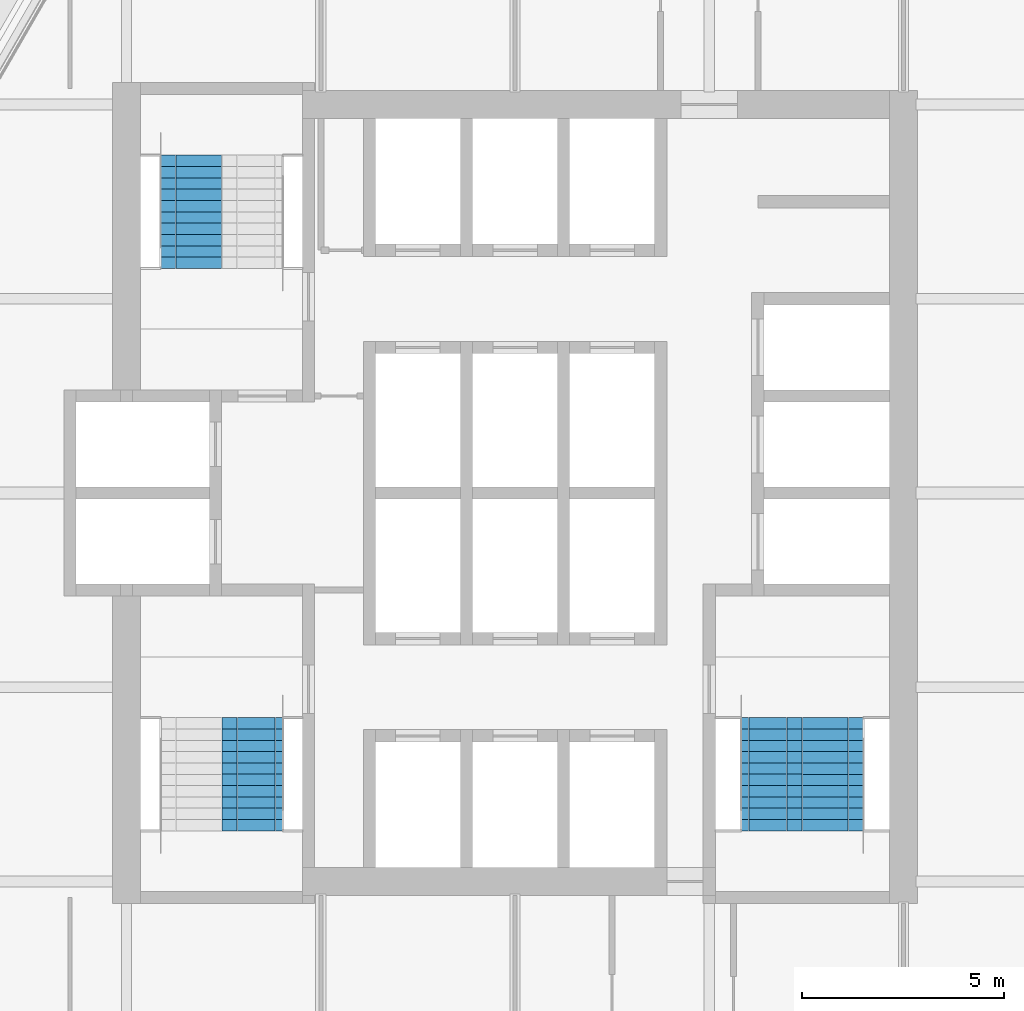
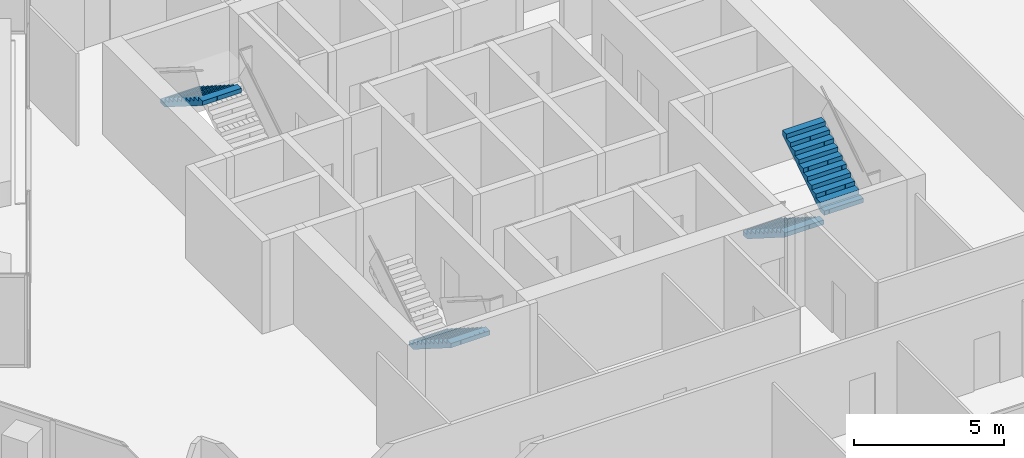
# One storey, part 15 of 18: 4 stair flights, 3 elements without a shape of their own.
"""IFC4 building model written with IfcOpenShell, lengths in metres."""

from ifc_helpers import new_model, si_unit, direction, frame, origin, place, context, subcontext, project, spatial, polyline, outline, extrude, material, type_object, element, aggregate, save


model = new_model("IFC4")

# Units and contexts
model_context = context("Model", 3, precision=1e-05, world=origin(), true_north=direction((0.0, 1.0)))
body_context = subcontext(model_context, "Body", "Model", "MODEL_VIEW")
ifc_project = project(units=[si_unit("LENGTHUNIT", "METRE"), si_unit("AREAUNIT", "SQUARE_METRE"), si_unit("VOLUMEUNIT", "CUBIC_METRE"), si_unit("PLANEANGLEUNIT", "RADIAN"), si_unit("MASSUNIT", "GRAM", prefix="KILO")], contexts=[model_context])

# Site, building, storey
site_placement = place(None, origin())
site = spatial("IfcSite", under=ifc_project, at=site_placement, CompositionType="ELEMENT")
building_placement = place(site_placement, origin())
building = spatial("IfcBuilding", under=site, at=building_placement, Name="Kolab Exchange Tower", CompositionType="ELEMENT")
storey_placement = place(building_placement, frame((0.0, 0.0, 150.5)))
storey = spatial("IfcBuildingStorey", under=building, at=storey_placement, Name="L30", CompositionType="ELEMENT", Elevation=150.5)

# Stair, stair flight
ifc_material = material(Name="Concrete C50/60", Category="concrete")
stair_type_1 = type_object("IfcStairType", Name="STAIR ST1 RISER 177.3", PredefinedType="HALF_TURN_STAIR", material=ifc_material)
stair_1_placement = place(storey_placement, origin())
stair_1 = element("IfcStair", 1, at=stair_1_placement, inside=storey, type_object=stair_type_1, Name="Stair 1", PredefinedType="HALF_TURN_STAIR")
stair_flight_type = type_object("IfcStairFlightType", Name="STAIR FLIGHT 1500 RISER 177.3", PredefinedType="STRAIGHT", material=ifc_material)
stair_flight_1_placement = place(storey_placement, frame((-8.010009765625, 8.35009765625, 1.949951171875), z_axis=(0.0, 0.0, 1.0), x_axis=(0.0, -1.0, 0.0)))
stair_flight_1 = element("IfcStairFlight", 2, at=stair_flight_1_placement, type_object=stair_flight_type, Name="ST1 flight 2", NumberOfRisers=11, NumberOfTreads=10, PredefinedType="STRAIGHT", RiserHeight=0.177272727, TreadLength=0.28, context=body_context, shape_type="SweptSolid", body=[
    extrude(outline(polyline([(0.0, 0.0), (0.0, 0.17724609375), (0.280029296875, 0.17724609375), (0.280029296875, 0.3544921875), (0.56005859375, 0.3544921875), (0.56005859375, 0.53173828125), (0.840087890625, 0.53173828125), (0.840087890625, 0.708984375), (1.1201171875, 0.708984375), (1.1201171875, 0.886474609375), (1.39990234375, 0.886474609375), (1.39990234375, 1.063720703125), (1.679931640625, 1.063720703125), (1.679931640625, 1.240966796875), (1.9599609375, 1.240966796875), (1.9599609375, 1.418212890625), (2.239990234375, 1.418212890625), (2.239990234375, 1.595458984375), (2.52001953125, 1.595458984375), (2.52001953125, 1.772705078125), (2.800048828125, 1.772705078125), (2.800048828125, 1.949951171875), (2.800048828125, 1.59521484375), (0.2802734375, 0.0), (0.0, 0.0)])), frame((0.0, 0.75, 0.0), z_axis=(0.0, -1.0, 0.0), x_axis=(1.0, 0.0, 0.0)), (0.0, 0.0, 1.0), 0.185791015625),
    extrude(outline(polyline([(0.0, 0.0), (0.0, 0.17724609375), (0.280029296875, 0.17724609375), (0.280029296875, 0.3544921875), (0.56005859375, 0.3544921875), (0.56005859375, 0.53173828125), (0.840087890625, 0.53173828125), (0.840087890625, 0.708984375), (1.1201171875, 0.708984375), (1.1201171875, 0.886474609375), (1.39990234375, 0.886474609375), (1.39990234375, 1.063720703125), (1.679931640625, 1.063720703125), (1.679931640625, 1.240966796875), (1.9599609375, 1.240966796875), (1.9599609375, 1.418212890625), (2.239990234375, 1.418212890625), (2.239990234375, 1.595458984375), (2.52001953125, 1.595458984375), (2.52001953125, 1.772705078125), (2.800048828125, 1.772705078125), (2.800048828125, 1.949951171875), (2.800048828125, 1.59521484375), (0.2802734375, 0.0), (0.0, 0.0)])), frame((0.0, 0.562255859375, 0.0), z_axis=(0.0, -1.0, 0.0), x_axis=(1.0, 0.0, 0.0)), (0.0, 0.0, 1.0), 0.185791015625),
    extrude(outline(polyline([(0.0, 0.0), (0.0, 0.17724609375), (0.280029296875, 0.17724609375), (0.280029296875, 0.3544921875), (0.56005859375, 0.3544921875), (0.56005859375, 0.53173828125), (0.840087890625, 0.53173828125), (0.840087890625, 0.708984375), (1.1201171875, 0.708984375), (1.1201171875, 0.886474609375), (1.39990234375, 0.886474609375), (1.39990234375, 1.063720703125), (1.679931640625, 1.063720703125), (1.679931640625, 1.240966796875), (1.9599609375, 1.240966796875), (1.9599609375, 1.418212890625), (2.239990234375, 1.418212890625), (2.239990234375, 1.595458984375), (2.52001953125, 1.595458984375), (2.52001953125, 1.772705078125), (2.800048828125, 1.772705078125), (2.800048828125, 1.949951171875), (2.800048828125, 1.59521484375), (0.2802734375, 0.0), (0.0, 0.0)])), frame((0.0, 0.37451171875, 0.0), z_axis=(0.0, -1.0, 0.0), x_axis=(1.0, 0.0, 0.0)), (0.0, 0.0, 1.0), 0.185791015625),
    extrude(outline(polyline([(0.0, 0.0), (0.0, 0.17724609375), (0.280029296875, 0.17724609375), (0.280029296875, 0.3544921875), (0.56005859375, 0.3544921875), (0.56005859375, 0.53173828125), (0.840087890625, 0.53173828125), (0.840087890625, 0.708984375), (1.1201171875, 0.708984375), (1.1201171875, 0.886474609375), (1.39990234375, 0.886474609375), (1.39990234375, 1.063720703125), (1.679931640625, 1.063720703125), (1.679931640625, 1.240966796875), (1.9599609375, 1.240966796875), (1.9599609375, 1.418212890625), (2.239990234375, 1.418212890625), (2.239990234375, 1.595458984375), (2.52001953125, 1.595458984375), (2.52001953125, 1.772705078125), (2.800048828125, 1.772705078125), (2.800048828125, 1.949951171875), (2.800048828125, 1.59521484375), (0.2802734375, 0.0), (0.0, 0.0)])), frame((0.0, 0.186767578125, 0.0), z_axis=(0.0, -1.0, 0.0), x_axis=(1.0, 0.0, 0.0)), (0.0, 0.0, 1.0), 0.185791015625),
    extrude(outline(polyline([(0.0, 0.0), (0.0, 0.17724609375), (0.280029296875, 0.17724609375), (0.280029296875, 0.3544921875), (0.56005859375, 0.3544921875), (0.56005859375, 0.53173828125), (0.840087890625, 0.53173828125), (0.840087890625, 0.708984375), (1.1201171875, 0.708984375), (1.1201171875, 0.886474609375), (1.39990234375, 0.886474609375), (1.39990234375, 1.063720703125), (1.679931640625, 1.063720703125), (1.679931640625, 1.240966796875), (1.9599609375, 1.240966796875), (1.9599609375, 1.418212890625), (2.239990234375, 1.418212890625), (2.239990234375, 1.595458984375), (2.52001953125, 1.595458984375), (2.52001953125, 1.772705078125), (2.800048828125, 1.772705078125), (2.800048828125, 1.949951171875), (2.800048828125, 1.59521484375), (0.2802734375, 0.0), (0.0, 0.0)])), frame((0.0, -0.0009765625, 0.0), z_axis=(0.0, -1.0, 0.0), x_axis=(1.0, 0.0, 0.0)), (0.0, 0.0, 1.0), 0.185791015625),
    extrude(outline(polyline([(0.0, 0.0), (0.0, 0.17724609375), (0.280029296875, 0.17724609375), (0.280029296875, 0.3544921875), (0.56005859375, 0.3544921875), (0.56005859375, 0.53173828125), (0.840087890625, 0.53173828125), (0.840087890625, 0.708984375), (1.1201171875, 0.708984375), (1.1201171875, 0.886474609375), (1.39990234375, 0.886474609375), (1.39990234375, 1.063720703125), (1.679931640625, 1.063720703125), (1.679931640625, 1.240966796875), (1.9599609375, 1.240966796875), (1.9599609375, 1.418212890625), (2.239990234375, 1.418212890625), (2.239990234375, 1.595458984375), (2.52001953125, 1.595458984375), (2.52001953125, 1.772705078125), (2.800048828125, 1.772705078125), (2.800048828125, 1.949951171875), (2.800048828125, 1.59521484375), (0.2802734375, 0.0), (0.0, 0.0)])), frame((0.0, -0.188720703125, 0.0), z_axis=(0.0, -1.0, 0.0), x_axis=(1.0, 0.0, 0.0)), (0.0, 0.0, 1.0), 0.185791015625),
    extrude(outline(polyline([(0.0, 0.0), (0.0, 0.17724609375), (0.280029296875, 0.17724609375), (0.280029296875, 0.3544921875), (0.56005859375, 0.3544921875), (0.56005859375, 0.53173828125), (0.840087890625, 0.53173828125), (0.840087890625, 0.708984375), (1.1201171875, 0.708984375), (1.1201171875, 0.886474609375), (1.39990234375, 0.886474609375), (1.39990234375, 1.063720703125), (1.679931640625, 1.063720703125), (1.679931640625, 1.240966796875), (1.9599609375, 1.240966796875), (1.9599609375, 1.418212890625), (2.239990234375, 1.418212890625), (2.239990234375, 1.595458984375), (2.52001953125, 1.595458984375), (2.52001953125, 1.772705078125), (2.800048828125, 1.772705078125), (2.800048828125, 1.949951171875), (2.800048828125, 1.59521484375), (0.2802734375, 0.0), (0.0, 0.0)])), frame((0.0, -0.37646484375, 0.0), z_axis=(0.0, -1.0, 0.0), x_axis=(1.0, 0.0, 0.0)), (0.0, 0.0, 1.0), 0.185791015625),
    extrude(outline(polyline([(0.0, 0.0), (0.0, 0.17724609375), (0.280029296875, 0.17724609375), (0.280029296875, 0.3544921875), (0.56005859375, 0.3544921875), (0.56005859375, 0.53173828125), (0.840087890625, 0.53173828125), (0.840087890625, 0.708984375), (1.1201171875, 0.708984375), (1.1201171875, 0.886474609375), (1.39990234375, 0.886474609375), (1.39990234375, 1.063720703125), (1.679931640625, 1.063720703125), (1.679931640625, 1.240966796875), (1.9599609375, 1.240966796875), (1.9599609375, 1.418212890625), (2.239990234375, 1.418212890625), (2.239990234375, 1.595458984375), (2.52001953125, 1.595458984375), (2.52001953125, 1.772705078125), (2.800048828125, 1.772705078125), (2.800048828125, 1.949951171875), (2.800048828125, 1.59521484375), (0.2802734375, 0.0), (0.0, 0.0)])), frame((0.0, -0.564208984375, 0.0), z_axis=(0.0, -1.0, 0.0), x_axis=(1.0, 0.0, 0.0)), (0.0, 0.0, 1.0), 0.185791015625),
])
aggregate(stair_1, [stair_flight_1])

stair_type_2 = type_object("IfcStairType", Name="STAIR ST3 RISER 177.3", PredefinedType="HALF_TURN_STAIR", material=ifc_material)
stair_2_placement = place(storey_placement, origin())
stair_2 = element("IfcStair", 3, at=stair_2_placement, inside=storey, type_object=stair_type_2, Name="Stair 3", PredefinedType="HALF_TURN_STAIR")
stair_flight_2_placement = place(storey_placement, frame((-6.489990234375, -5.550048828125, 0.0), z_axis=(0.0, 0.0, 1.0), x_axis=(0.0, -1.0, 0.0)))
stair_flight_2 = element("IfcStairFlight", 4, at=stair_flight_2_placement, type_object=stair_flight_type, Name="ST3 flight 1", NumberOfRisers=11, NumberOfTreads=10, PredefinedType="STRAIGHT", RiserHeight=0.177272727, TreadLength=0.28, context=body_context, shape_type="SweptSolid", body=[
    extrude(outline(polyline([(0.0, 0.0), (0.0, 0.17724609375), (0.280029296875, 0.17724609375), (0.280029296875, 0.3544921875), (0.56005859375, 0.3544921875), (0.56005859375, 0.53173828125), (0.840087890625, 0.53173828125), (0.840087890625, 0.708984375), (1.1201171875, 0.708984375), (1.1201171875, 0.886474609375), (1.39990234375, 0.886474609375), (1.39990234375, 1.063720703125), (1.679931640625, 1.063720703125), (1.679931640625, 1.240966796875), (1.9599609375, 1.240966796875), (1.9599609375, 1.418212890625), (2.239990234375, 1.418212890625), (2.239990234375, 1.595458984375), (2.52001953125, 1.595458984375), (2.52001953125, 1.772705078125), (2.800048828125, 1.772705078125), (2.800048828125, 1.949951171875), (2.800048828125, 1.59521484375), (0.2802734375, 0.0), (0.0, 0.0)])), frame((0.0, 0.75, 0.0), z_axis=(0.0, -1.0, 0.0), x_axis=(1.0, 0.0, 0.0)), (0.0, 0.0, 1.0), 0.185791015625),
    extrude(outline(polyline([(0.0, 0.0), (0.0, 0.17724609375), (0.280029296875, 0.17724609375), (0.280029296875, 0.3544921875), (0.56005859375, 0.3544921875), (0.56005859375, 0.53173828125), (0.840087890625, 0.53173828125), (0.840087890625, 0.708984375), (1.1201171875, 0.708984375), (1.1201171875, 0.886474609375), (1.39990234375, 0.886474609375), (1.39990234375, 1.063720703125), (1.679931640625, 1.063720703125), (1.679931640625, 1.240966796875), (1.9599609375, 1.240966796875), (1.9599609375, 1.418212890625), (2.239990234375, 1.418212890625), (2.239990234375, 1.595458984375), (2.52001953125, 1.595458984375), (2.52001953125, 1.772705078125), (2.800048828125, 1.772705078125), (2.800048828125, 1.949951171875), (2.800048828125, 1.59521484375), (0.2802734375, 0.0), (0.0, 0.0)])), frame((0.0, 0.562255859375, 0.0), z_axis=(0.0, -1.0, 0.0), x_axis=(1.0, 0.0, 0.0)), (0.0, 0.0, 1.0), 0.185791015625),
    extrude(outline(polyline([(0.0, 0.0), (0.0, 0.17724609375), (0.280029296875, 0.17724609375), (0.280029296875, 0.3544921875), (0.56005859375, 0.3544921875), (0.56005859375, 0.53173828125), (0.840087890625, 0.53173828125), (0.840087890625, 0.708984375), (1.1201171875, 0.708984375), (1.1201171875, 0.886474609375), (1.39990234375, 0.886474609375), (1.39990234375, 1.063720703125), (1.679931640625, 1.063720703125), (1.679931640625, 1.240966796875), (1.9599609375, 1.240966796875), (1.9599609375, 1.418212890625), (2.239990234375, 1.418212890625), (2.239990234375, 1.595458984375), (2.52001953125, 1.595458984375), (2.52001953125, 1.772705078125), (2.800048828125, 1.772705078125), (2.800048828125, 1.949951171875), (2.800048828125, 1.59521484375), (0.2802734375, 0.0), (0.0, 0.0)])), frame((0.0, 0.37451171875, 0.0), z_axis=(0.0, -1.0, 0.0), x_axis=(1.0, 0.0, 0.0)), (0.0, 0.0, 1.0), 0.185791015625),
    extrude(outline(polyline([(0.0, 0.0), (0.0, 0.17724609375), (0.280029296875, 0.17724609375), (0.280029296875, 0.3544921875), (0.56005859375, 0.3544921875), (0.56005859375, 0.53173828125), (0.840087890625, 0.53173828125), (0.840087890625, 0.708984375), (1.1201171875, 0.708984375), (1.1201171875, 0.886474609375), (1.39990234375, 0.886474609375), (1.39990234375, 1.063720703125), (1.679931640625, 1.063720703125), (1.679931640625, 1.240966796875), (1.9599609375, 1.240966796875), (1.9599609375, 1.418212890625), (2.239990234375, 1.418212890625), (2.239990234375, 1.595458984375), (2.52001953125, 1.595458984375), (2.52001953125, 1.772705078125), (2.800048828125, 1.772705078125), (2.800048828125, 1.949951171875), (2.800048828125, 1.59521484375), (0.2802734375, 0.0), (0.0, 0.0)])), frame((0.0, 0.186767578125, 0.0), z_axis=(0.0, -1.0, 0.0), x_axis=(1.0, 0.0, 0.0)), (0.0, 0.0, 1.0), 0.185791015625),
    extrude(outline(polyline([(0.0, 0.0), (0.0, 0.17724609375), (0.280029296875, 0.17724609375), (0.280029296875, 0.3544921875), (0.56005859375, 0.3544921875), (0.56005859375, 0.53173828125), (0.840087890625, 0.53173828125), (0.840087890625, 0.708984375), (1.1201171875, 0.708984375), (1.1201171875, 0.886474609375), (1.39990234375, 0.886474609375), (1.39990234375, 1.063720703125), (1.679931640625, 1.063720703125), (1.679931640625, 1.240966796875), (1.9599609375, 1.240966796875), (1.9599609375, 1.418212890625), (2.239990234375, 1.418212890625), (2.239990234375, 1.595458984375), (2.52001953125, 1.595458984375), (2.52001953125, 1.772705078125), (2.800048828125, 1.772705078125), (2.800048828125, 1.949951171875), (2.800048828125, 1.59521484375), (0.2802734375, 0.0), (0.0, 0.0)])), frame((0.0, -0.0009765625, 0.0), z_axis=(0.0, -1.0, 0.0), x_axis=(1.0, 0.0, 0.0)), (0.0, 0.0, 1.0), 0.185791015625),
    extrude(outline(polyline([(0.0, 0.0), (0.0, 0.17724609375), (0.280029296875, 0.17724609375), (0.280029296875, 0.3544921875), (0.56005859375, 0.3544921875), (0.56005859375, 0.53173828125), (0.840087890625, 0.53173828125), (0.840087890625, 0.708984375), (1.1201171875, 0.708984375), (1.1201171875, 0.886474609375), (1.39990234375, 0.886474609375), (1.39990234375, 1.063720703125), (1.679931640625, 1.063720703125), (1.679931640625, 1.240966796875), (1.9599609375, 1.240966796875), (1.9599609375, 1.418212890625), (2.239990234375, 1.418212890625), (2.239990234375, 1.595458984375), (2.52001953125, 1.595458984375), (2.52001953125, 1.772705078125), (2.800048828125, 1.772705078125), (2.800048828125, 1.949951171875), (2.800048828125, 1.59521484375), (0.2802734375, 0.0), (0.0, 0.0)])), frame((0.0, -0.188720703125, 0.0), z_axis=(0.0, -1.0, 0.0), x_axis=(1.0, 0.0, 0.0)), (0.0, 0.0, 1.0), 0.185791015625),
    extrude(outline(polyline([(0.0, 0.0), (0.0, 0.17724609375), (0.280029296875, 0.17724609375), (0.280029296875, 0.3544921875), (0.56005859375, 0.3544921875), (0.56005859375, 0.53173828125), (0.840087890625, 0.53173828125), (0.840087890625, 0.708984375), (1.1201171875, 0.708984375), (1.1201171875, 0.886474609375), (1.39990234375, 0.886474609375), (1.39990234375, 1.063720703125), (1.679931640625, 1.063720703125), (1.679931640625, 1.240966796875), (1.9599609375, 1.240966796875), (1.9599609375, 1.418212890625), (2.239990234375, 1.418212890625), (2.239990234375, 1.595458984375), (2.52001953125, 1.595458984375), (2.52001953125, 1.772705078125), (2.800048828125, 1.772705078125), (2.800048828125, 1.949951171875), (2.800048828125, 1.59521484375), (0.2802734375, 0.0), (0.0, 0.0)])), frame((0.0, -0.37646484375, 0.0), z_axis=(0.0, -1.0, 0.0), x_axis=(1.0, 0.0, 0.0)), (0.0, 0.0, 1.0), 0.185791015625),
    extrude(outline(polyline([(0.0, 0.0), (0.0, 0.17724609375), (0.280029296875, 0.17724609375), (0.280029296875, 0.3544921875), (0.56005859375, 0.3544921875), (0.56005859375, 0.53173828125), (0.840087890625, 0.53173828125), (0.840087890625, 0.708984375), (1.1201171875, 0.708984375), (1.1201171875, 0.886474609375), (1.39990234375, 0.886474609375), (1.39990234375, 1.063720703125), (1.679931640625, 1.063720703125), (1.679931640625, 1.240966796875), (1.9599609375, 1.240966796875), (1.9599609375, 1.418212890625), (2.239990234375, 1.418212890625), (2.239990234375, 1.595458984375), (2.52001953125, 1.595458984375), (2.52001953125, 1.772705078125), (2.800048828125, 1.772705078125), (2.800048828125, 1.949951171875), (2.800048828125, 1.59521484375), (0.2802734375, 0.0), (0.0, 0.0)])), frame((0.0, -0.564208984375, 0.0), z_axis=(0.0, -1.0, 0.0), x_axis=(1.0, 0.0, 0.0)), (0.0, 0.0, 1.0), 0.185791015625),
])
aggregate(stair_2, [stair_flight_2])

# Stair, stair flights
stair_type_3 = type_object("IfcStairType", Name="STAIR ST2 RISER 177.3", PredefinedType="HALF_TURN_STAIR", material=ifc_material)
stair_3_placement = place(storey_placement, origin())
stair_3 = element("IfcStair", 5, at=stair_3_placement, inside=storey, type_object=stair_type_3, Name="Stair 2", PredefinedType="HALF_TURN_STAIR")
stair_flight_3_placement = place(storey_placement, frame((6.340087890625, -5.550048828125, 0.0), z_axis=(0.0, 0.0, 1.0), x_axis=(0.0, -1.0, 0.0)))
stair_flight_3 = element("IfcStairFlight", 6, at=stair_flight_3_placement, type_object=stair_flight_type, Name="ST2 flight 1", NumberOfRisers=11, NumberOfTreads=10, PredefinedType="STRAIGHT", RiserHeight=0.177272727, TreadLength=0.28, context=body_context, shape_type="SweptSolid", body=[
    extrude(outline(polyline([(0.0, 0.0), (0.0, 0.17724609375), (0.280029296875, 0.17724609375), (0.280029296875, 0.3544921875), (0.56005859375, 0.3544921875), (0.56005859375, 0.53173828125), (0.840087890625, 0.53173828125), (0.840087890625, 0.708984375), (1.1201171875, 0.708984375), (1.1201171875, 0.886474609375), (1.39990234375, 0.886474609375), (1.39990234375, 1.063720703125), (1.679931640625, 1.063720703125), (1.679931640625, 1.240966796875), (1.9599609375, 1.240966796875), (1.9599609375, 1.418212890625), (2.239990234375, 1.418212890625), (2.239990234375, 1.595458984375), (2.52001953125, 1.595458984375), (2.52001953125, 1.772705078125), (2.800048828125, 1.772705078125), (2.800048828125, 1.949951171875), (2.800048828125, 1.59521484375), (0.2802734375, 0.0), (0.0, 0.0)])), frame((0.0, 0.75, 0.0), z_axis=(0.0, -1.0, 0.0), x_axis=(1.0, 0.0, 0.0)), (0.0, 0.0, 1.0), 0.185791015625),
    extrude(outline(polyline([(0.0, 0.0), (0.0, 0.17724609375), (0.280029296875, 0.17724609375), (0.280029296875, 0.3544921875), (0.56005859375, 0.3544921875), (0.56005859375, 0.53173828125), (0.840087890625, 0.53173828125), (0.840087890625, 0.708984375), (1.1201171875, 0.708984375), (1.1201171875, 0.886474609375), (1.39990234375, 0.886474609375), (1.39990234375, 1.063720703125), (1.679931640625, 1.063720703125), (1.679931640625, 1.240966796875), (1.9599609375, 1.240966796875), (1.9599609375, 1.418212890625), (2.239990234375, 1.418212890625), (2.239990234375, 1.595458984375), (2.52001953125, 1.595458984375), (2.52001953125, 1.772705078125), (2.800048828125, 1.772705078125), (2.800048828125, 1.949951171875), (2.800048828125, 1.59521484375), (0.2802734375, 0.0), (0.0, 0.0)])), frame((0.0, 0.562255859375, 0.0), z_axis=(0.0, -1.0, 0.0), x_axis=(1.0, 0.0, 0.0)), (0.0, 0.0, 1.0), 0.185791015625),
    extrude(outline(polyline([(0.0, 0.0), (0.0, 0.17724609375), (0.280029296875, 0.17724609375), (0.280029296875, 0.3544921875), (0.56005859375, 0.3544921875), (0.56005859375, 0.53173828125), (0.840087890625, 0.53173828125), (0.840087890625, 0.708984375), (1.1201171875, 0.708984375), (1.1201171875, 0.886474609375), (1.39990234375, 0.886474609375), (1.39990234375, 1.063720703125), (1.679931640625, 1.063720703125), (1.679931640625, 1.240966796875), (1.9599609375, 1.240966796875), (1.9599609375, 1.418212890625), (2.239990234375, 1.418212890625), (2.239990234375, 1.595458984375), (2.52001953125, 1.595458984375), (2.52001953125, 1.772705078125), (2.800048828125, 1.772705078125), (2.800048828125, 1.949951171875), (2.800048828125, 1.59521484375), (0.2802734375, 0.0), (0.0, 0.0)])), frame((0.0, 0.37451171875, 0.0), z_axis=(0.0, -1.0, 0.0), x_axis=(1.0, 0.0, 0.0)), (0.0, 0.0, 1.0), 0.185791015625),
    extrude(outline(polyline([(0.0, 0.0), (0.0, 0.17724609375), (0.280029296875, 0.17724609375), (0.280029296875, 0.3544921875), (0.56005859375, 0.3544921875), (0.56005859375, 0.53173828125), (0.840087890625, 0.53173828125), (0.840087890625, 0.708984375), (1.1201171875, 0.708984375), (1.1201171875, 0.886474609375), (1.39990234375, 0.886474609375), (1.39990234375, 1.063720703125), (1.679931640625, 1.063720703125), (1.679931640625, 1.240966796875), (1.9599609375, 1.240966796875), (1.9599609375, 1.418212890625), (2.239990234375, 1.418212890625), (2.239990234375, 1.595458984375), (2.52001953125, 1.595458984375), (2.52001953125, 1.772705078125), (2.800048828125, 1.772705078125), (2.800048828125, 1.949951171875), (2.800048828125, 1.59521484375), (0.2802734375, 0.0), (0.0, 0.0)])), frame((0.0, 0.186767578125, 0.0), z_axis=(0.0, -1.0, 0.0), x_axis=(1.0, 0.0, 0.0)), (0.0, 0.0, 1.0), 0.185791015625),
    extrude(outline(polyline([(0.0, 0.0), (0.0, 0.17724609375), (0.280029296875, 0.17724609375), (0.280029296875, 0.3544921875), (0.56005859375, 0.3544921875), (0.56005859375, 0.53173828125), (0.840087890625, 0.53173828125), (0.840087890625, 0.708984375), (1.1201171875, 0.708984375), (1.1201171875, 0.886474609375), (1.39990234375, 0.886474609375), (1.39990234375, 1.063720703125), (1.679931640625, 1.063720703125), (1.679931640625, 1.240966796875), (1.9599609375, 1.240966796875), (1.9599609375, 1.418212890625), (2.239990234375, 1.418212890625), (2.239990234375, 1.595458984375), (2.52001953125, 1.595458984375), (2.52001953125, 1.772705078125), (2.800048828125, 1.772705078125), (2.800048828125, 1.949951171875), (2.800048828125, 1.59521484375), (0.2802734375, 0.0), (0.0, 0.0)])), frame((0.0, -0.0009765625, 0.0), z_axis=(0.0, -1.0, 0.0), x_axis=(1.0, 0.0, 0.0)), (0.0, 0.0, 1.0), 0.185791015625),
    extrude(outline(polyline([(0.0, 0.0), (0.0, 0.17724609375), (0.280029296875, 0.17724609375), (0.280029296875, 0.3544921875), (0.56005859375, 0.3544921875), (0.56005859375, 0.53173828125), (0.840087890625, 0.53173828125), (0.840087890625, 0.708984375), (1.1201171875, 0.708984375), (1.1201171875, 0.886474609375), (1.39990234375, 0.886474609375), (1.39990234375, 1.063720703125), (1.679931640625, 1.063720703125), (1.679931640625, 1.240966796875), (1.9599609375, 1.240966796875), (1.9599609375, 1.418212890625), (2.239990234375, 1.418212890625), (2.239990234375, 1.595458984375), (2.52001953125, 1.595458984375), (2.52001953125, 1.772705078125), (2.800048828125, 1.772705078125), (2.800048828125, 1.949951171875), (2.800048828125, 1.59521484375), (0.2802734375, 0.0), (0.0, 0.0)])), frame((0.0, -0.188720703125, 0.0), z_axis=(0.0, -1.0, 0.0), x_axis=(1.0, 0.0, 0.0)), (0.0, 0.0, 1.0), 0.185791015625),
    extrude(outline(polyline([(0.0, 0.0), (0.0, 0.17724609375), (0.280029296875, 0.17724609375), (0.280029296875, 0.3544921875), (0.56005859375, 0.3544921875), (0.56005859375, 0.53173828125), (0.840087890625, 0.53173828125), (0.840087890625, 0.708984375), (1.1201171875, 0.708984375), (1.1201171875, 0.886474609375), (1.39990234375, 0.886474609375), (1.39990234375, 1.063720703125), (1.679931640625, 1.063720703125), (1.679931640625, 1.240966796875), (1.9599609375, 1.240966796875), (1.9599609375, 1.418212890625), (2.239990234375, 1.418212890625), (2.239990234375, 1.595458984375), (2.52001953125, 1.595458984375), (2.52001953125, 1.772705078125), (2.800048828125, 1.772705078125), (2.800048828125, 1.949951171875), (2.800048828125, 1.59521484375), (0.2802734375, 0.0), (0.0, 0.0)])), frame((0.0, -0.37646484375, 0.0), z_axis=(0.0, -1.0, 0.0), x_axis=(1.0, 0.0, 0.0)), (0.0, 0.0, 1.0), 0.185791015625),
    extrude(outline(polyline([(0.0, 0.0), (0.0, 0.17724609375), (0.280029296875, 0.17724609375), (0.280029296875, 0.3544921875), (0.56005859375, 0.3544921875), (0.56005859375, 0.53173828125), (0.840087890625, 0.53173828125), (0.840087890625, 0.708984375), (1.1201171875, 0.708984375), (1.1201171875, 0.886474609375), (1.39990234375, 0.886474609375), (1.39990234375, 1.063720703125), (1.679931640625, 1.063720703125), (1.679931640625, 1.240966796875), (1.9599609375, 1.240966796875), (1.9599609375, 1.418212890625), (2.239990234375, 1.418212890625), (2.239990234375, 1.595458984375), (2.52001953125, 1.595458984375), (2.52001953125, 1.772705078125), (2.800048828125, 1.772705078125), (2.800048828125, 1.949951171875), (2.800048828125, 1.59521484375), (0.2802734375, 0.0), (0.0, 0.0)])), frame((0.0, -0.564208984375, 0.0), z_axis=(0.0, -1.0, 0.0), x_axis=(1.0, 0.0, 0.0)), (0.0, 0.0, 1.0), 0.185791015625),
])
stair_flight_4_placement = place(storey_placement, frame((7.860107421875, -8.35009765625, 1.949951171875), z_axis=(0.0, 0.0, 1.0), x_axis=(0.0, 1.0, 0.0)))
stair_flight_4 = element("IfcStairFlight", 7, at=stair_flight_4_placement, type_object=stair_flight_type, Name="ST2 flight 2", NumberOfRisers=11, NumberOfTreads=10, PredefinedType="STRAIGHT", RiserHeight=0.177272727, TreadLength=0.28, context=body_context, shape_type="SweptSolid", body=[
    extrude(outline(polyline([(0.0, 0.0), (0.0, 0.17724609375), (0.280029296875, 0.17724609375), (0.280029296875, 0.3544921875), (0.56005859375, 0.3544921875), (0.56005859375, 0.53173828125), (0.840087890625, 0.53173828125), (0.840087890625, 0.708984375), (1.1201171875, 0.708984375), (1.1201171875, 0.886474609375), (1.39990234375, 0.886474609375), (1.39990234375, 1.063720703125), (1.679931640625, 1.063720703125), (1.679931640625, 1.240966796875), (1.9599609375, 1.240966796875), (1.9599609375, 1.418212890625), (2.239990234375, 1.418212890625), (2.239990234375, 1.595458984375), (2.52001953125, 1.595458984375), (2.52001953125, 1.772705078125), (2.800048828125, 1.772705078125), (2.800048828125, 1.949951171875), (2.800048828125, 1.59521484375), (0.2802734375, 0.0), (0.0, 0.0)])), frame((0.0, 0.75, 0.0), z_axis=(0.0, -1.0, 0.0), x_axis=(1.0, 0.0, 0.0)), (0.0, 0.0, 1.0), 0.185791015625),
    extrude(outline(polyline([(0.0, 0.0), (0.0, 0.17724609375), (0.280029296875, 0.17724609375), (0.280029296875, 0.3544921875), (0.56005859375, 0.3544921875), (0.56005859375, 0.53173828125), (0.840087890625, 0.53173828125), (0.840087890625, 0.708984375), (1.1201171875, 0.708984375), (1.1201171875, 0.886474609375), (1.39990234375, 0.886474609375), (1.39990234375, 1.063720703125), (1.679931640625, 1.063720703125), (1.679931640625, 1.240966796875), (1.9599609375, 1.240966796875), (1.9599609375, 1.418212890625), (2.239990234375, 1.418212890625), (2.239990234375, 1.595458984375), (2.52001953125, 1.595458984375), (2.52001953125, 1.772705078125), (2.800048828125, 1.772705078125), (2.800048828125, 1.949951171875), (2.800048828125, 1.59521484375), (0.2802734375, 0.0), (0.0, 0.0)])), frame((0.0, 0.562255859375, 0.0), z_axis=(0.0, -1.0, 0.0), x_axis=(1.0, 0.0, 0.0)), (0.0, 0.0, 1.0), 0.185791015625),
    extrude(outline(polyline([(0.0, 0.0), (0.0, 0.17724609375), (0.280029296875, 0.17724609375), (0.280029296875, 0.3544921875), (0.56005859375, 0.3544921875), (0.56005859375, 0.53173828125), (0.840087890625, 0.53173828125), (0.840087890625, 0.708984375), (1.1201171875, 0.708984375), (1.1201171875, 0.886474609375), (1.39990234375, 0.886474609375), (1.39990234375, 1.063720703125), (1.679931640625, 1.063720703125), (1.679931640625, 1.240966796875), (1.9599609375, 1.240966796875), (1.9599609375, 1.418212890625), (2.239990234375, 1.418212890625), (2.239990234375, 1.595458984375), (2.52001953125, 1.595458984375), (2.52001953125, 1.772705078125), (2.800048828125, 1.772705078125), (2.800048828125, 1.949951171875), (2.800048828125, 1.59521484375), (0.2802734375, 0.0), (0.0, 0.0)])), frame((0.0, 0.37451171875, 0.0), z_axis=(0.0, -1.0, 0.0), x_axis=(1.0, 0.0, 0.0)), (0.0, 0.0, 1.0), 0.185791015625),
    extrude(outline(polyline([(0.0, 0.0), (0.0, 0.17724609375), (0.280029296875, 0.17724609375), (0.280029296875, 0.3544921875), (0.56005859375, 0.3544921875), (0.56005859375, 0.53173828125), (0.840087890625, 0.53173828125), (0.840087890625, 0.708984375), (1.1201171875, 0.708984375), (1.1201171875, 0.886474609375), (1.39990234375, 0.886474609375), (1.39990234375, 1.063720703125), (1.679931640625, 1.063720703125), (1.679931640625, 1.240966796875), (1.9599609375, 1.240966796875), (1.9599609375, 1.418212890625), (2.239990234375, 1.418212890625), (2.239990234375, 1.595458984375), (2.52001953125, 1.595458984375), (2.52001953125, 1.772705078125), (2.800048828125, 1.772705078125), (2.800048828125, 1.949951171875), (2.800048828125, 1.59521484375), (0.2802734375, 0.0), (0.0, 0.0)])), frame((0.0, 0.186767578125, 0.0), z_axis=(0.0, -1.0, 0.0), x_axis=(1.0, 0.0, 0.0)), (0.0, 0.0, 1.0), 0.185791015625),
    extrude(outline(polyline([(0.0, 0.0), (0.0, 0.17724609375), (0.280029296875, 0.17724609375), (0.280029296875, 0.3544921875), (0.56005859375, 0.3544921875), (0.56005859375, 0.53173828125), (0.840087890625, 0.53173828125), (0.840087890625, 0.708984375), (1.1201171875, 0.708984375), (1.1201171875, 0.886474609375), (1.39990234375, 0.886474609375), (1.39990234375, 1.063720703125), (1.679931640625, 1.063720703125), (1.679931640625, 1.240966796875), (1.9599609375, 1.240966796875), (1.9599609375, 1.418212890625), (2.239990234375, 1.418212890625), (2.239990234375, 1.595458984375), (2.52001953125, 1.595458984375), (2.52001953125, 1.772705078125), (2.800048828125, 1.772705078125), (2.800048828125, 1.949951171875), (2.800048828125, 1.59521484375), (0.2802734375, 0.0), (0.0, 0.0)])), frame((0.0, -0.0009765625, 0.0), z_axis=(0.0, -1.0, 0.0), x_axis=(1.0, 0.0, 0.0)), (0.0, 0.0, 1.0), 0.185791015625),
    extrude(outline(polyline([(0.0, 0.0), (0.0, 0.17724609375), (0.280029296875, 0.17724609375), (0.280029296875, 0.3544921875), (0.56005859375, 0.3544921875), (0.56005859375, 0.53173828125), (0.840087890625, 0.53173828125), (0.840087890625, 0.708984375), (1.1201171875, 0.708984375), (1.1201171875, 0.886474609375), (1.39990234375, 0.886474609375), (1.39990234375, 1.063720703125), (1.679931640625, 1.063720703125), (1.679931640625, 1.240966796875), (1.9599609375, 1.240966796875), (1.9599609375, 1.418212890625), (2.239990234375, 1.418212890625), (2.239990234375, 1.595458984375), (2.52001953125, 1.595458984375), (2.52001953125, 1.772705078125), (2.800048828125, 1.772705078125), (2.800048828125, 1.949951171875), (2.800048828125, 1.59521484375), (0.2802734375, 0.0), (0.0, 0.0)])), frame((0.0, -0.188720703125, 0.0), z_axis=(0.0, -1.0, 0.0), x_axis=(1.0, 0.0, 0.0)), (0.0, 0.0, 1.0), 0.185791015625),
    extrude(outline(polyline([(0.0, 0.0), (0.0, 0.17724609375), (0.280029296875, 0.17724609375), (0.280029296875, 0.3544921875), (0.56005859375, 0.3544921875), (0.56005859375, 0.53173828125), (0.840087890625, 0.53173828125), (0.840087890625, 0.708984375), (1.1201171875, 0.708984375), (1.1201171875, 0.886474609375), (1.39990234375, 0.886474609375), (1.39990234375, 1.063720703125), (1.679931640625, 1.063720703125), (1.679931640625, 1.240966796875), (1.9599609375, 1.240966796875), (1.9599609375, 1.418212890625), (2.239990234375, 1.418212890625), (2.239990234375, 1.595458984375), (2.52001953125, 1.595458984375), (2.52001953125, 1.772705078125), (2.800048828125, 1.772705078125), (2.800048828125, 1.949951171875), (2.800048828125, 1.59521484375), (0.2802734375, 0.0), (0.0, 0.0)])), frame((0.0, -0.37646484375, 0.0), z_axis=(0.0, -1.0, 0.0), x_axis=(1.0, 0.0, 0.0)), (0.0, 0.0, 1.0), 0.185791015625),
    extrude(outline(polyline([(0.0, 0.0), (0.0, 0.17724609375), (0.280029296875, 0.17724609375), (0.280029296875, 0.3544921875), (0.56005859375, 0.3544921875), (0.56005859375, 0.53173828125), (0.840087890625, 0.53173828125), (0.840087890625, 0.708984375), (1.1201171875, 0.708984375), (1.1201171875, 0.886474609375), (1.39990234375, 0.886474609375), (1.39990234375, 1.063720703125), (1.679931640625, 1.063720703125), (1.679931640625, 1.240966796875), (1.9599609375, 1.240966796875), (1.9599609375, 1.418212890625), (2.239990234375, 1.418212890625), (2.239990234375, 1.595458984375), (2.52001953125, 1.595458984375), (2.52001953125, 1.772705078125), (2.800048828125, 1.772705078125), (2.800048828125, 1.949951171875), (2.800048828125, 1.59521484375), (0.2802734375, 0.0), (0.0, 0.0)])), frame((0.0, -0.564208984375, 0.0), z_axis=(0.0, -1.0, 0.0), x_axis=(1.0, 0.0, 0.0)), (0.0, 0.0, 1.0), 0.185791015625),
])
aggregate(stair_3, [stair_flight_3, stair_flight_4])

save(model, "model.ifc")
